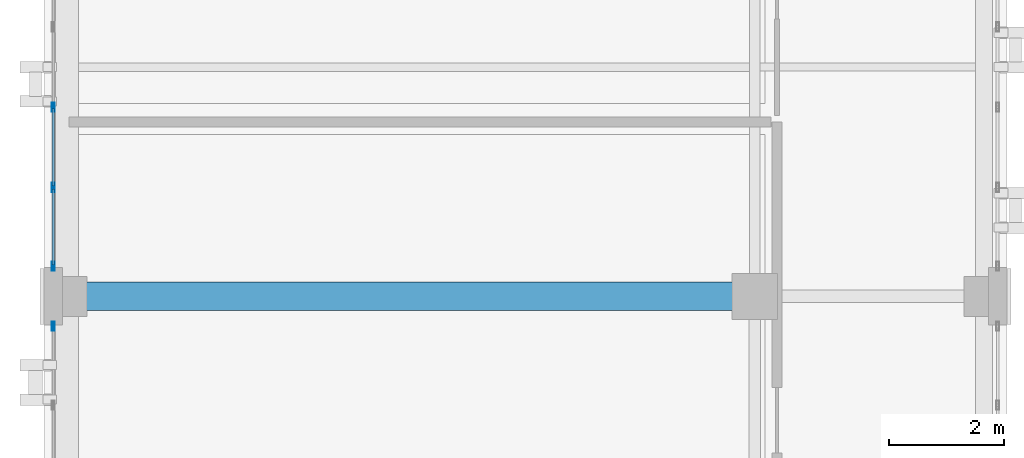
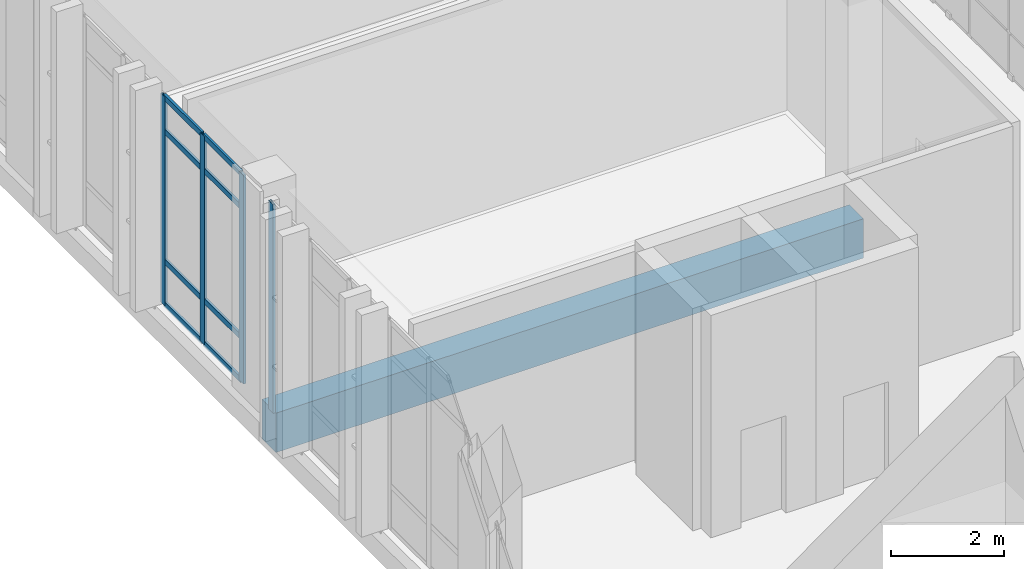
# One storey, part 26 of 189: 12 members, 1 beam, 2 elements without a shape of their own.
"""IFC4 building model written with IfcOpenShell, lengths in metres."""

from ifc_helpers import new_model, si_unit, direction, frame, origin, origin_2d, place, context, subcontext, project, spatial, rectangle, hollow_rectangle, extrude, material, layer, layer_set, material_profile, profile_set, type_object, element, aggregate, save


model = new_model("IFC4")

# Units and contexts
model_context = context("Model", 3, precision=1e-05, world=origin(), true_north=direction((0.0, 1.0)))
body_context = subcontext(model_context, "Body", "Model", "MODEL_VIEW")
ifc_project = project(units=[si_unit("LENGTHUNIT", "METRE"), si_unit("AREAUNIT", "SQUARE_METRE"), si_unit("VOLUMEUNIT", "CUBIC_METRE"), si_unit("PLANEANGLEUNIT", "RADIAN"), si_unit("MASSUNIT", "GRAM", prefix="KILO")], contexts=[model_context])

# Site, building, storey
site_placement = place(None, origin())
site = spatial("IfcSite", under=ifc_project, at=site_placement, CompositionType="ELEMENT")
building_placement = place(site_placement, origin())
building = spatial("IfcBuilding", under=site, at=building_placement, Name="Qalavern Law Courts", CompositionType="ELEMENT")
storey_placement = place(building_placement, frame((0.0, 0.0, 5.39990234375)))
storey = spatial("IfcBuildingStorey", under=building, at=storey_placement, Name="L01", CompositionType="ELEMENT", Elevation=5.39990234375)

# Curtain wall, members
ifc_material_1 = material(Name="Anodised aluminium and insulated glazing", Category="aluminium")
ifc_layer = layer(ifc_material_1, 0.172119140625)
ifc_layer_set = layer_set([ifc_layer], Name="Anodised aluminium and insulated glazing")
curtain_wall_type = type_object("IfcCurtainWallType", Name="ENV-CW-COURT", PredefinedType="USERDEFINED", material=ifc_layer_set)
curtain_wall_1_placement = place(storey_placement, origin())
curtain_wall_1 = element("IfcCurtainWall", 1, at=curtain_wall_1_placement, inside=storey, type_object=curtain_wall_type, Name="V3 unitised curtain wall L01 west 5", ObjectType="UNITISED CURTAIN WALL", PredefinedType="USERDEFINED")
ifc_material_2 = material(Name="Anodised aluminium", Category="aluminium")
ifc_material_profile_1 = material_profile(ifc_material_2, hollow_rectangle(XDim=0.048095703125, YDim=0.159912109375, WallThickness=0.00390625, at=origin_2d()), Name="ALU MULLION 48x160")
ifc_profile_set_1 = profile_set([ifc_material_profile_1], Name="Anodised aluminium")
member_type_1 = type_object("IfcMemberType", Name="ENV-CWM-48x160", PredefinedType="MULLION", material=ifc_profile_set_1)
member_1_placement = place(storey_placement, frame((2.16259765625, 60.699951171875, 0.0), z_axis=(0.0, 0.0, 1.0), x_axis=(1.0, 0.0, 0.0)))
member_1 = element("IfcMember", 2, at=member_1_placement, type_object=member_type_1, Name="CW-03 mullion 4", PredefinedType="MULLION", context=body_context, shape_type="SweptSolid", body=[
    extrude(hollow_rectangle(XDim=0.048095703125, YDim=0.159912109375, WallThickness=0.00390625, at=origin_2d()), origin(), (0.0, 0.0, 1.0), 4.510009765625),
])
member_2_placement = place(storey_placement, frame((2.16259765625, 59.300048828125, 0.0), z_axis=(0.0, 0.0, 1.0), x_axis=(1.0, 0.0, 0.0)))
member_2 = element("IfcMember", 3, at=member_2_placement, type_object=member_type_1, Name="CW-03 mullion 5", PredefinedType="MULLION", context=body_context, shape_type="SweptSolid", body=[
    extrude(hollow_rectangle(XDim=0.048095703125, YDim=0.159912109375, WallThickness=0.00390625, at=origin_2d()), origin(), (0.0, 0.0, 1.0), 4.510009765625),
])
member_3_placement = place(storey_placement, frame((2.16259765625, 57.924072265625, 0.0), z_axis=(0.0, 0.0, 1.0), x_axis=(1.0, 0.0, 0.0)))
member_3 = element("IfcMember", 4, at=member_3_placement, type_object=member_type_1, Name="CW-03 mullion 6", PredefinedType="MULLION", context=body_context, shape_type="SweptSolid", body=[
    extrude(hollow_rectangle(XDim=0.048095703125, YDim=0.159912109375, WallThickness=0.00390625, at=origin_2d()), origin(), (0.0, 0.0, 1.0), 4.510009765625),
])

# Curtain wall, member
curtain_wall_2_placement = place(storey_placement, origin())
curtain_wall_2 = element("IfcCurtainWall", 5, at=curtain_wall_2_placement, inside=storey, type_object=curtain_wall_type, Name="V3 unitised curtain wall L01 west 6", ObjectType="UNITISED CURTAIN WALL", PredefinedType="USERDEFINED")
member_4_placement = place(storey_placement, frame((2.16259765625, 56.8759765625, 0.0), z_axis=(0.0, 0.0, 1.0), x_axis=(1.0, 0.0, 0.0)))
member_4 = element("IfcMember", 6, at=member_4_placement, type_object=member_type_1, Name="CW-03 mullion 1", PredefinedType="MULLION", context=body_context, shape_type="SweptSolid", body=[
    extrude(hollow_rectangle(XDim=0.048095703125, YDim=0.159912109375, WallThickness=0.00390625, at=origin_2d()), origin(), (0.0, 0.0, 1.0), 4.510009765625),
])
aggregate(curtain_wall_2, [member_4])

# Member
ifc_material_profile_2 = material_profile(ifc_material_2, hollow_rectangle(XDim=0.048095703125, YDim=0.1201171875, WallThickness=0.00390625, at=origin_2d()), Name="ALU TRANSOM 48x120")
ifc_profile_set_2 = profile_set([ifc_material_profile_2], Name="Anodised aluminium")
member_type_2 = type_object("IfcMemberType", Name="ENV-CWT-48x120", PredefinedType="USERDEFINED", material=ifc_profile_set_2)
member_5_placement = place(storey_placement, frame((2.16259765625, 60.676025390625, 0.024169921875), z_axis=(0.0, -1.0, 0.0), x_axis=(1.0, 0.0, 0.0)))
member_5 = element("IfcMember", 7, at=member_5_placement, type_object=member_type_2, Name="CW-03 transom 4.1", ObjectType="TRANSOM", PredefinedType="USERDEFINED", context=body_context, shape_type="SweptSolid", body=[
    extrude(hollow_rectangle(XDim=0.048095703125, YDim=0.1201171875, WallThickness=0.00390625, at=origin_2d()), origin(), (0.0, 0.0, 1.0), 1.35205078125),
])

member_6_placement = place(storey_placement, frame((2.16259765625, 60.676025390625, 0.9501953125), z_axis=(0.0, -1.0, 0.0), x_axis=(1.0, 0.0, 0.0)))
member_6 = element("IfcMember", 8, at=member_6_placement, type_object=member_type_2, Name="CW-03 transom 4.2", ObjectType="TRANSOM", PredefinedType="USERDEFINED", context=body_context, shape_type="SweptSolid", body=[
    extrude(hollow_rectangle(XDim=0.048095703125, YDim=0.1201171875, WallThickness=0.00390625, at=origin_2d()), origin(), (0.0, 0.0, 1.0), 1.35205078125),
])

member_7_placement = place(storey_placement, frame((2.16259765625, 60.676025390625, 3.760009765625), z_axis=(0.0, -1.0, 0.0), x_axis=(1.0, 0.0, 0.0)))
member_7 = element("IfcMember", 9, at=member_7_placement, type_object=member_type_2, Name="CW-03 transom 4.3", ObjectType="TRANSOM", PredefinedType="USERDEFINED", context=body_context, shape_type="SweptSolid", body=[
    extrude(hollow_rectangle(XDim=0.048095703125, YDim=0.1201171875, WallThickness=0.00390625, at=origin_2d()), origin(), (0.0, 0.0, 1.0), 1.35205078125),
])

member_8_placement = place(storey_placement, frame((2.16259765625, 60.676025390625, 4.486083984375), z_axis=(0.0, -1.0, 0.0), x_axis=(1.0, 0.0, 0.0)))
member_8 = element("IfcMember", 10, at=member_8_placement, type_object=member_type_2, Name="CW-03 transom 4.4", ObjectType="TRANSOM", PredefinedType="USERDEFINED", context=body_context, shape_type="SweptSolid", body=[
    extrude(hollow_rectangle(XDim=0.048095703125, YDim=0.1201171875, WallThickness=0.00390625, at=origin_2d()), origin(), (0.0, 0.0, 1.0), 1.35205078125),
])

member_9_placement = place(storey_placement, frame((2.16259765625, 59.27587890625, 0.024169921875), z_axis=(0.0, -1.0, 0.0), x_axis=(1.0, 0.0, 0.0)))
member_9 = element("IfcMember", 11, at=member_9_placement, type_object=member_type_2, Name="CW-03 transom 5.1", ObjectType="TRANSOM", PredefinedType="USERDEFINED", context=body_context, shape_type="SweptSolid", body=[
    extrude(hollow_rectangle(XDim=0.048095703125, YDim=0.1201171875, WallThickness=0.00390625, at=origin_2d()), origin(), (0.0, 0.0, 1.0), 1.327880859375),
])

member_10_placement = place(storey_placement, frame((2.16259765625, 59.27587890625, 0.9501953125), z_axis=(0.0, -1.0, 0.0), x_axis=(1.0, 0.0, 0.0)))
member_10 = element("IfcMember", 12, at=member_10_placement, type_object=member_type_2, Name="CW-03 transom 5.2", ObjectType="TRANSOM", PredefinedType="USERDEFINED", context=body_context, shape_type="SweptSolid", body=[
    extrude(hollow_rectangle(XDim=0.048095703125, YDim=0.1201171875, WallThickness=0.00390625, at=origin_2d()), origin(), (0.0, 0.0, 1.0), 1.327880859375),
])

member_11_placement = place(storey_placement, frame((2.16259765625, 59.27587890625, 3.760009765625), z_axis=(0.0, -1.0, 0.0), x_axis=(1.0, 0.0, 0.0)))
member_11 = element("IfcMember", 13, at=member_11_placement, type_object=member_type_2, Name="CW-03 transom 5.3", ObjectType="TRANSOM", PredefinedType="USERDEFINED", context=body_context, shape_type="SweptSolid", body=[
    extrude(hollow_rectangle(XDim=0.048095703125, YDim=0.1201171875, WallThickness=0.00390625, at=origin_2d()), origin(), (0.0, 0.0, 1.0), 1.327880859375),
])

member_12_placement = place(storey_placement, frame((2.16259765625, 59.27587890625, 4.486083984375), z_axis=(0.0, -1.0, 0.0), x_axis=(1.0, 0.0, 0.0)))
member_12 = element("IfcMember", 14, at=member_12_placement, type_object=member_type_2, Name="CW-03 transom 5.4", ObjectType="TRANSOM", PredefinedType="USERDEFINED", context=body_context, shape_type="SweptSolid", body=[
    extrude(hollow_rectangle(XDim=0.048095703125, YDim=0.1201171875, WallThickness=0.00390625, at=origin_2d()), origin(), (0.0, 0.0, 1.0), 1.327880859375),
])

aggregate(curtain_wall_1, [member_1, member_2, member_3, member_5, member_6, member_7, member_8, member_9, member_10, member_11, member_12])

# Beam
ifc_material_3 = material(Name="Concrete C40/50", Category="concrete")
ifc_material_profile_3 = material_profile(ifc_material_3, rectangle(XDim=0.5, YDim=0.85009765625, at=origin_2d()), Name="RC 500x850")
ifc_profile_set_3 = profile_set([ifc_material_profile_3], Name="Concrete C40/50")
beam_type = type_object("IfcBeamType", Name="STR-BM-RC500x850", PredefinedType="BEAM", material=ifc_profile_set_3)
beam_placement = place(storey_placement, frame((2.39990234375, 57.39990234375, -0.724853515625), z_axis=(1.0, 0.0, 0.0), x_axis=(0.0, 1.0, 0.0)))
element("IfcBeam", 15, at=beam_placement, inside=storey, type_object=beam_type, Name="V3 X-beam 3-1 L01", PredefinedType="BEAM", context=body_context, shape_type="SweptSolid", body=[
    extrude(rectangle(XDim=0.5, YDim=0.85009765625, at=origin_2d()), origin(), (0.0, 0.0, 1.0), 12.0),
])

save(model, "model.ifc")
